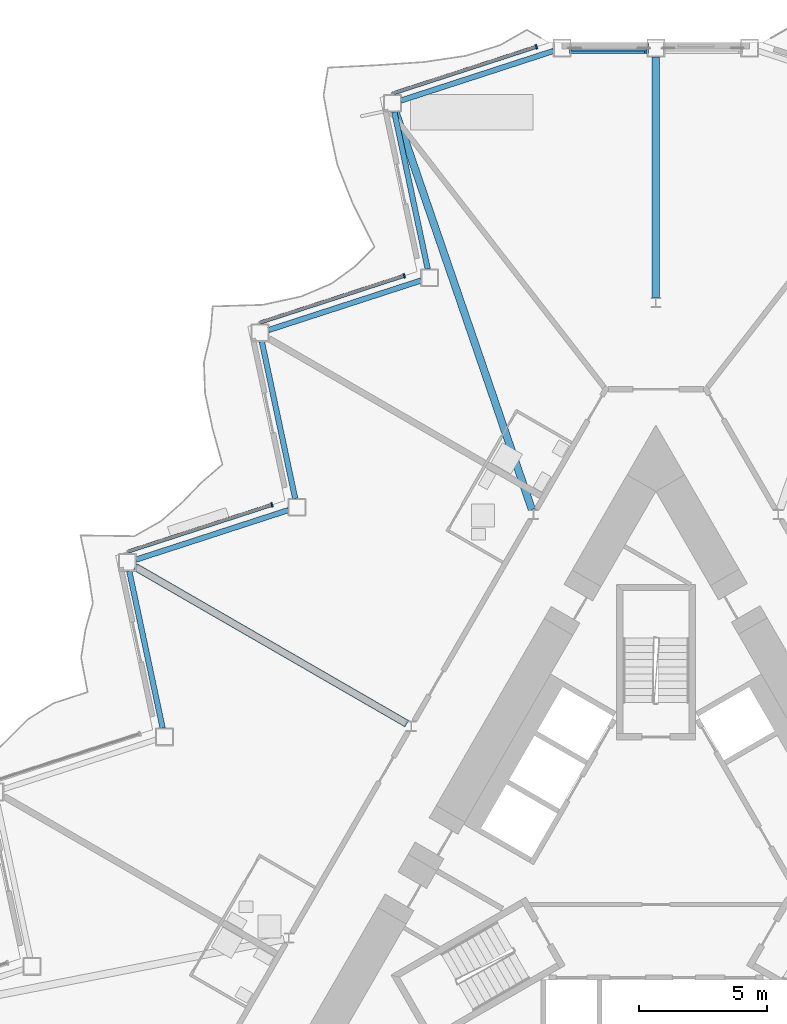
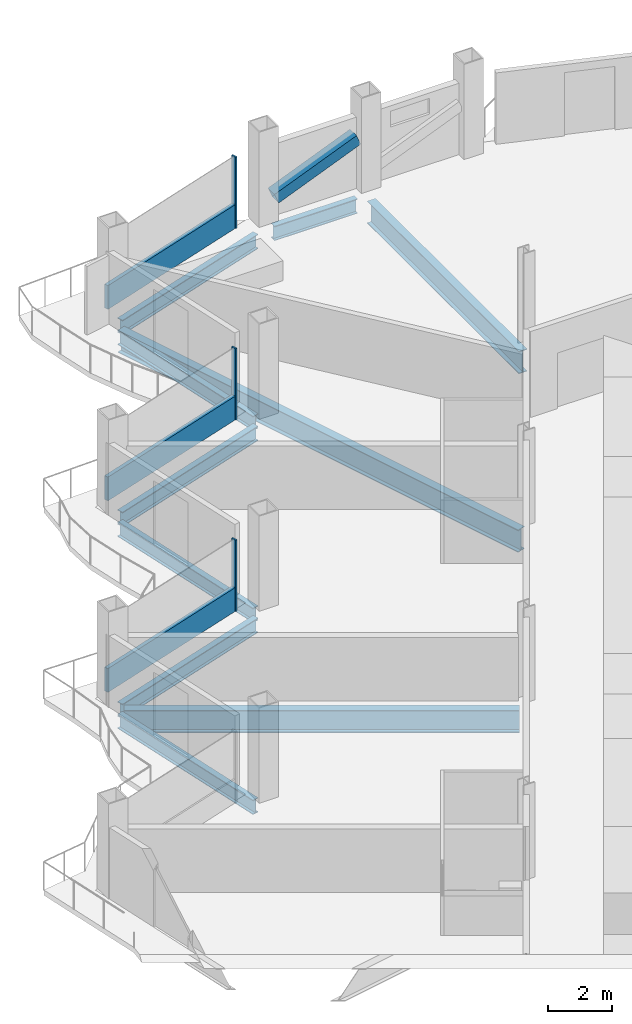
# One storey, part 8 of 23: 10 beams, 7 members, 3 elements without a shape of their own.
"""IFC4 building model written with IfcOpenShell, lengths in metres."""

from ifc_helpers import new_model, si_unit, direction, frame, origin, origin_2d, place, context, subcontext, project, spatial, rectangle, hollow_rectangle, i_section, extrude, material, layer, layer_set, material_profile, profile_set, type_object, element, aggregate, save


model = new_model("IFC4")

# Units and contexts
model_context = context("Model", 3, precision=1e-05, world=origin(), true_north=direction((0.0, 1.0)))
body_context = subcontext(model_context, "Body", "Model", "MODEL_VIEW")
ifc_project = project(units=[si_unit("LENGTHUNIT", "METRE"), si_unit("AREAUNIT", "SQUARE_METRE"), si_unit("VOLUMEUNIT", "CUBIC_METRE"), si_unit("PLANEANGLEUNIT", "RADIAN"), si_unit("MASSUNIT", "GRAM", prefix="KILO")], contexts=[model_context])

# Site, building, storey
site_placement = place(None, origin())
site = spatial("IfcSite", under=ifc_project, at=site_placement, CompositionType="ELEMENT")
building_placement = place(site_placement, origin())
building = spatial("IfcBuilding", under=site, at=building_placement, Name="Cormorant Prow Tower", CompositionType="ELEMENT")
storey_placement = place(building_placement, frame((0.0, 0.0, 245.39990234375)))
storey = spatial("IfcBuildingStorey", under=building, at=storey_placement, Name="L54", CompositionType="ELEMENT", Elevation=245.39990234375)

# Member
ifc_material_1 = material(Name="Structural steel ASTM A500 Gr C", Category="steel")
ifc_material_profile_1 = material_profile(ifc_material_1, hollow_rectangle(XDim=0.406494140625, YDim=0.406494140625, WallThickness=0.01171875, at=origin_2d()), Name="HSS16x16x1/2")
ifc_profile_set_1 = profile_set([ifc_material_profile_1], Name="Structural steel ASTM A500 Gr C")
member_type_1 = type_object("IfcMemberType", Name="Chamfer brace HSS16x16x1/2", PredefinedType="BRACE", material=ifc_profile_set_1)
member_1_placement = place(storey_placement, frame((-3.3046875, 32.073486328125, 0.74951171875), z_axis=(0.925591042089, 0.0, 0.37852506232), x_axis=(0.0, 1.0, 0.0)))
element("IfcMember", 1, at=member_1_placement, inside=storey, type_object=member_type_1, Name="Chamfer brace BR2 at N01 L54", PredefinedType="BRACE", context=body_context, shape_type="SweptSolid", body=[
    extrude(hollow_rectangle(XDim=0.406494140625, YDim=0.406494140625, WallThickness=0.01171875, at=origin_2d()), origin(), (0.0, 0.0, 1.0), 3.17529296875),
])

# Curtain wall, member
ifc_material_2 = material(Name="Aluminium 6063-T6", Category="aluminium")
ifc_layer = layer(ifc_material_2, 0.179931640625)
ifc_layer_set = layer_set([ifc_layer], Name="Aluminium 6063-T6")
curtain_wall_type = type_object("IfcCurtainWallType", Name="Hotel unitised curtain wall 180", PredefinedType="NOTDEFINED", material=ifc_layer_set)
curtain_wall_1_placement = place(storey_placement, origin())
curtain_wall_1 = element("IfcCurtainWall", 2, at=curtain_wall_1_placement, inside=storey, type_object=curtain_wall_type, Name="Hotel curtain wall WNW00", PredefinedType="NOTDEFINED")
ifc_material_3 = material(Name="Aluminium 6063-T6", Category="aluminium")
ifc_material_profile_2 = material_profile(ifc_material_3, rectangle(XDim=0.179931640625, YDim=0.06005859375, at=origin_2d()), Name="Hotel mullion 60x180")
ifc_profile_set_2 = profile_set([ifc_material_profile_2], Name="Aluminium 6063-T6")
member_type_2 = type_object("IfcMemberType", Name="Hotel mullion 60x180", PredefinedType="MULLION", material=ifc_profile_set_2)
member_2_placement = place(storey_placement, frame((-4.6767578125, 32.12646484375, 0.0), z_axis=(0.0, 0.0, 1.0), x_axis=(0.309017031391, -0.951056504268, 0.0)))
member_2 = element("IfcMember", 3, at=member_2_placement, type_object=member_type_2, Name="Hotel mullion WNW00", PredefinedType="MULLION", context=body_context, shape_type="SweptSolid", body=[
    extrude(rectangle(XDim=0.179931640625, YDim=0.06005859375, at=origin_2d()), origin(), (0.0, 0.0, 1.0), 2.700927734375),
])

curtain_wall_2_placement = place(storey_placement, origin())
curtain_wall_2 = element("IfcCurtainWall", 4, at=curtain_wall_2_placement, inside=storey, type_object=curtain_wall_type, Name="Hotel curtain wall WNW02", PredefinedType="NOTDEFINED")
member_3_placement = place(storey_placement, frame((-9.8525390625, 23.161865234375, 0.0), z_axis=(0.0, 0.0, 1.0), x_axis=(0.309016989196, -0.951056517978, 0.0)))
member_3 = element("IfcMember", 5, at=member_3_placement, type_object=member_type_2, Name="Hotel mullion WNW02", PredefinedType="MULLION", context=body_context, shape_type="SweptSolid", body=[
    extrude(rectangle(XDim=0.179931640625, YDim=0.06005859375, at=origin_2d()), origin(), (0.0, 0.0, 1.0), 2.700927734375),
])

curtain_wall_3_placement = place(storey_placement, origin())
curtain_wall_3 = element("IfcCurtainWall", 6, at=curtain_wall_3_placement, inside=storey, type_object=curtain_wall_type, Name="Hotel curtain wall WNW04", PredefinedType="NOTDEFINED")
member_4_placement = place(storey_placement, frame((-15.0283203125, 14.197265625, 0.0), z_axis=(0.0, 0.0, 1.0), x_axis=(0.309016989196, -0.951056517978, 0.0)))
member_4 = element("IfcMember", 7, at=member_4_placement, type_object=member_type_2, Name="Hotel mullion WNW04", PredefinedType="MULLION", context=body_context, shape_type="SweptSolid", body=[
    extrude(rectangle(XDim=0.179931640625, YDim=0.06005859375, at=origin_2d()), origin(), (0.0, 0.0, 1.0), 2.700927734375),
])

# Member
ifc_material_4 = material(Name="Terracotta", Category="masonry")
ifc_material_profile_3 = material_profile(ifc_material_4, rectangle(XDim=0.139892578125, YDim=0.89990234375, at=origin_2d()), Name="Hotel terracotta spandrel rail 140x900")
ifc_profile_set_3 = profile_set([ifc_material_profile_3], Name="Terracotta")
member_type_3 = type_object("IfcMemberType", Name="Hotel terracotta spandrel rail 140x900", PredefinedType="USERDEFINED", material=ifc_profile_set_3)
member_5_placement = place(storey_placement, frame((-4.705322265625, 32.1171875, 0.4501953125), z_axis=(-0.9510589899, -0.309009381297, 0.0), x_axis=(0.309009381297, -0.9510589899, 0.0)))
member_5 = element("IfcMember", 8, at=member_5_placement, type_object=member_type_3, Name="Hotel spandrel rail WNW00", ObjectType="TRANSOM", PredefinedType="USERDEFINED", context=body_context, shape_type="SweptSolid", body=[
    extrude(rectangle(XDim=0.139892578125, YDim=0.89990234375, at=origin_2d()), origin(), (0.0, 0.0, 1.0), 5.902587890625),
])

aggregate(curtain_wall_1, [member_2, member_5])

member_6_placement = place(storey_placement, frame((-9.881103515625, 23.152587890625, 0.4501953125), z_axis=(-0.9510589899, -0.309009381297, 0.0), x_axis=(0.309009381297, -0.9510589899, 0.0)))
member_6 = element("IfcMember", 9, at=member_6_placement, type_object=member_type_3, Name="Hotel spandrel rail WNW02", ObjectType="TRANSOM", PredefinedType="USERDEFINED", context=body_context, shape_type="SweptSolid", body=[
    extrude(rectangle(XDim=0.139892578125, YDim=0.89990234375, at=origin_2d()), origin(), (0.0, 0.0, 1.0), 5.902587890625),
])

aggregate(curtain_wall_2, [member_3, member_6])

member_7_placement = place(storey_placement, frame((-15.056884765625, 14.18798828125, 0.4501953125), z_axis=(-0.951055040221, -0.309021537228, 0.0), x_axis=(0.309021537228, -0.951055040221, 0.0)))
member_7 = element("IfcMember", 10, at=member_7_placement, type_object=member_type_3, Name="Hotel spandrel rail WNW04", ObjectType="TRANSOM", PredefinedType="USERDEFINED", context=body_context, shape_type="SweptSolid", body=[
    extrude(rectangle(XDim=0.139892578125, YDim=0.89990234375, at=origin_2d()), origin(), (0.0, 0.0, 1.0), 5.90234375),
])

aggregate(curtain_wall_3, [member_4, member_7])

# Beams
ifc_material_5 = material(Name="Structural steel ASTM A992 Gr 50", Category="steel")
ifc_material_profile_4 = material_profile(ifc_material_5, i_section(OverallWidth=0.29296875, OverallDepth=0.845703125, WebThickness=0.015380859375, FlangeThickness=0.0244140625, at=origin_2d()), Name="W33x141")
ifc_profile_set_4 = profile_set([ifc_material_profile_4], Name="Structural steel ASTM A992 Gr 50")
beam_type_1 = type_object("IfcBeamType", Name="Radial floor beam W33x141", PredefinedType="BEAM", material=ifc_profile_set_4)
beam_1_placement = place(storey_placement, frame((0.0, 22.320068359375, -0.772705078125), z_axis=(0.0, 1.0, 0.0), x_axis=(-1.0, 0.0, 0.0)))
element("IfcBeam", 11, at=beam_1_placement, inside=storey, type_object=beam_type_1, Name="Radial floor beam FB2 1 L54", PredefinedType="BEAM", context=body_context, shape_type="SweptSolid", body=[
    extrude(i_section(OverallWidth=0.29296875, OverallDepth=0.845703125, WebThickness=0.015380859375, FlangeThickness=0.0244140625, at=origin_2d()), origin(), (0.0, 0.0, 1.0), 9.4033203125),
])
beam_2_placement = place(storey_placement, frame((-4.85400390625, 14.013916015625, -0.772705078125), z_axis=(-0.324535507117, 0.945873514071, 0.0), x_axis=(-0.945873514071, -0.324535507117, 0.0)))
element("IfcBeam", 12, at=beam_2_placement, inside=storey, type_object=beam_type_1, Name="Radial floor beam FB2 2 L54", PredefinedType="BEAM", context=body_context, shape_type="SweptSolid", body=[
    extrude(i_section(OverallWidth=0.29296875, OverallDepth=0.845703125, WebThickness=0.015380859375, FlangeThickness=0.0244140625, at=origin_2d()), origin(), (0.0, 0.0, 1.0), 16.462158203125),
])
beam_3_placement = place(storey_placement, frame((-9.751220703125, 5.6298828125, -0.772705078125), z_axis=(-0.866021995826, 0.500005902711, 0.0), x_axis=(-0.500005902711, -0.866021995826, 0.0)))
element("IfcBeam", 13, at=beam_3_placement, inside=storey, type_object=beam_type_1, Name="Radial floor beam FB2 3 L54", PredefinedType="BEAM", context=body_context, shape_type="SweptSolid", body=[
    extrude(i_section(OverallWidth=0.29296875, OverallDepth=0.845703125, WebThickness=0.015380859375, FlangeThickness=0.0244140625, at=origin_2d()), origin(), (0.0, 0.0, 1.0), 12.277099609375),
])
ifc_material_6 = material(Name="Structural steel ASTM A992 Gr 50", Category="steel")
ifc_material_profile_5 = material_profile(ifc_material_6, i_section(OverallWidth=0.2138671875, OverallDepth=0.549072265625, WebThickness=0.0146484375, FlangeThickness=0.023681640625, at=origin_2d()), Name="W21x93")
ifc_profile_set_5 = profile_set([ifc_material_profile_5], Name="Structural steel ASTM A992 Gr 50")
beam_type_2 = type_object("IfcBeamType", Name="Spandrel beam W21x93", PredefinedType="SPANDREL", material=ifc_profile_set_5)
beam_4_placement = place(storey_placement, frame((-0.35009765625, 32.073486328125, -0.62451171875), z_axis=(-1.0, 0.0, 0.0), x_axis=(0.0, -1.0, 0.0)))
element("IfcBeam", 14, at=beam_4_placement, inside=storey, type_object=beam_type_2, Name="Spandrel beam SB2 N01-WNW00 L54", PredefinedType="SPANDREL", context=body_context, shape_type="SweptSolid", body=[
    extrude(i_section(OverallWidth=0.2138671875, OverallDepth=0.549072265625, WebThickness=0.0146484375, FlangeThickness=0.023681640625, at=origin_2d()), origin(), (0.0, 0.0, 1.0), 2.97021484375),
])
for number, where, z_axis, x_axis, name in (
    (15, (-4.003173828125, 31.96533203125, -0.62451171875), (-0.951054060056, -0.309024553801, 0.0), (0.309024553801, -0.951054060056, 0.0), "Spandrel beam SB2 WNW00-WNW01 L54"),
    (16, (-10.2373046875, 29.57373046875, -0.62451171875), (0.207896407679, -0.97815084914, 0.0), (0.97815084914, 0.207896407679, 0.0), "Spandrel beam SB2 WNW01-WNW02 L54"),
):
    element("IfcBeam", number, at=place(storey_placement, frame(where, z_axis=z_axis, x_axis=x_axis)), inside=storey, type_object=beam_type_2, Name=name, PredefinedType="SPANDREL", context=body_context, shape_type="SweptSolid", body=[
        extrude(i_section(OverallWidth=0.2138671875, OverallDepth=0.549072265625, WebThickness=0.0146484375, FlangeThickness=0.023681640625, at=origin_2d()), origin(), (0.0, 0.0, 1.0), 6.281494140625),
    ])
beam_5_placement = place(storey_placement, frame((-9.191650390625, 22.97900390625, -0.62451171875), z_axis=(-0.951050348284, -0.309035976918, 0.0), x_axis=(0.309035976918, -0.951050348284, 0.0)))
element("IfcBeam", 17, at=beam_5_placement, inside=storey, type_object=beam_type_2, Name="Spandrel beam SB2 WNW02-WNW03 L54", PredefinedType="SPANDREL", context=body_context, shape_type="SweptSolid", body=[
    extrude(i_section(OverallWidth=0.2138671875, OverallDepth=0.549072265625, WebThickness=0.0146484375, FlangeThickness=0.023681640625, at=origin_2d()), origin(), (0.0, 0.0, 1.0), 6.28125),
])
beam_6_placement = place(storey_placement, frame((-15.42578125, 20.58740234375, -0.62451171875), z_axis=(0.207933593793, -0.978142944856, 0.0), x_axis=(0.978142944856, 0.207933593793, 0.0)))
element("IfcBeam", 18, at=beam_6_placement, inside=storey, type_object=beam_type_2, Name="Spandrel beam SB2 WNW03-WNW04 L54", PredefinedType="SPANDREL", context=body_context, shape_type="SweptSolid", body=[
    extrude(i_section(OverallWidth=0.2138671875, OverallDepth=0.549072265625, WebThickness=0.0146484375, FlangeThickness=0.023681640625, at=origin_2d()), origin(), (0.0, 0.0, 1.0), 6.281494140625),
])
beam_7_placement = place(storey_placement, frame((-14.3798828125, 13.99267578125, -0.62451171875), z_axis=(-0.951050348284, -0.309035976918, 0.0), x_axis=(0.309035976918, -0.951050348284, 0.0)))
element("IfcBeam", 19, at=beam_7_placement, inside=storey, type_object=beam_type_2, Name="Spandrel beam SB2 WNW04-WNW05 L54", PredefinedType="SPANDREL", context=body_context, shape_type="SweptSolid", body=[
    extrude(i_section(OverallWidth=0.2138671875, OverallDepth=0.549072265625, WebThickness=0.0146484375, FlangeThickness=0.023681640625, at=origin_2d()), origin(), (0.0, 0.0, 1.0), 6.28125),
])
beam_8_placement = place(storey_placement, frame((-20.614013671875, 11.60107421875, -0.62451171875), z_axis=(0.207933593793, -0.978142944856, 0.0), x_axis=(0.978142944856, 0.207933593793, 0.0)))
element("IfcBeam", 20, at=beam_8_placement, inside=storey, type_object=beam_type_2, Name="Spandrel beam SB2 WNW05-WNW06 L54", PredefinedType="SPANDREL", context=body_context, shape_type="SweptSolid", body=[
    extrude(i_section(OverallWidth=0.2138671875, OverallDepth=0.549072265625, WebThickness=0.0146484375, FlangeThickness=0.023681640625, at=origin_2d()), origin(), (0.0, 0.0, 1.0), 6.281494140625),
])

save(model, "model.ifc")
